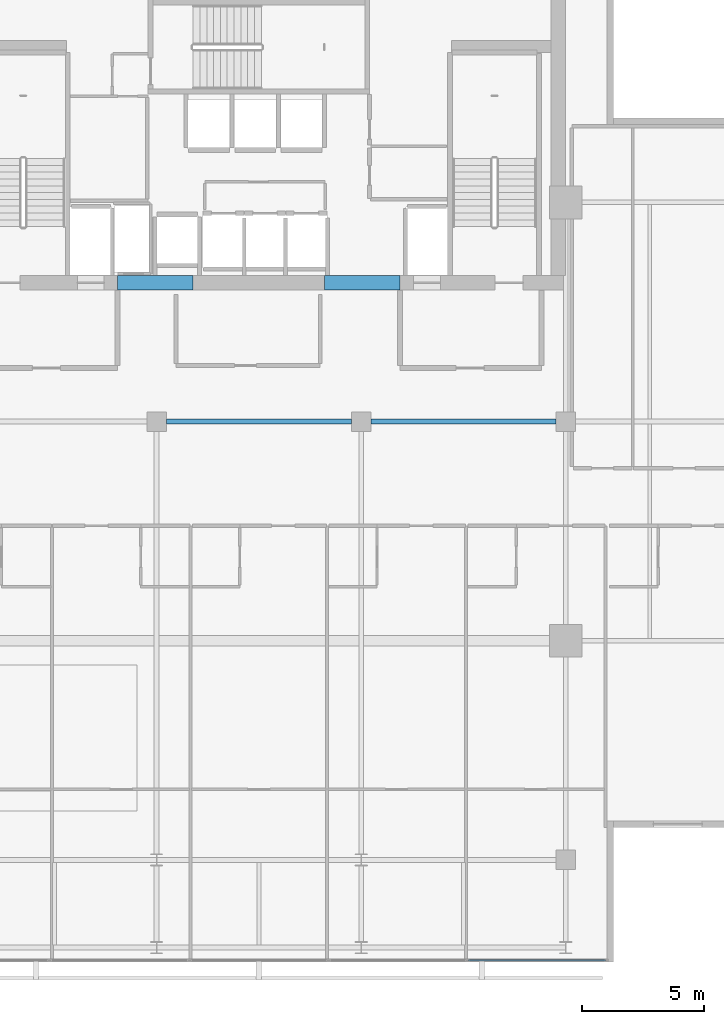
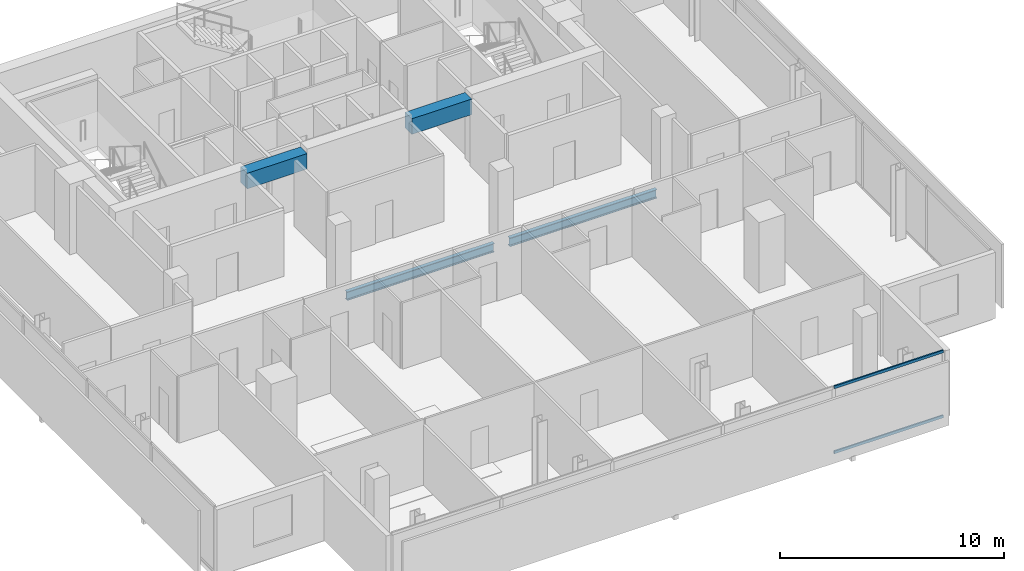
# One storey, part 10 of 24: 4 beams, 2 members, 1 element without a shape of its own.
"""IFC4 building model written with IfcOpenShell, lengths in metres."""

import ifcopenshell
import ifcopenshell.guid

model = None  # the IFC model being written
_history = None  # IfcOwnerHistory: only IFC2X3 demands one
_inside = {}  # id of a spatial element -> (the spatial element, [elements in it])
_under = {}  # id of a project, library or spatial element -> (it, [spatial elements below it])
_declared = {}  # id of a project -> (the project, [libraries it declares])
_typed = {}  # id of a type object -> (the type object, [elements of that type])
_made_of = {}  # id of a material, layer set ... -> (it, [elements and type objects made of it])


def new_model(schema):
    """Start an empty IFC model of exactly this schema.

    Asked for "IFC4X3", IfcOpenShell would pick the latest addendum, in which some entities
    have other attributes; the version numbers below select the first issue.
    IFC2X3 requires an IfcOwnerHistory on every rooted entity: one is made here for all.
    """
    global model, _history
    if schema == "IFC4X3":
        model = ifcopenshell.file(schema_version=(4, 3, 0, 0))
    else:
        model = ifcopenshell.file(schema=schema)
    _inside.clear()
    _under.clear()
    _declared.clear()
    _typed.clear()
    _made_of.clear()
    _history = None
    if model.schema == "IFC2X3":
        org = make("IfcOrganization", Name="unknown")
        user = make(
            "IfcPersonAndOrganization",
            ThePerson=make("IfcPerson", FamilyName="unknown"),
            TheOrganization=org,
        )
        app = make(
            "IfcApplication",
            ApplicationDeveloper=org,
            Version="unknown",
            ApplicationFullName="unknown",
            ApplicationIdentifier="unknown",
        )
        _history = make(
            "IfcOwnerHistory",
            OwningUser=user,
            OwningApplication=app,
            ChangeAction="ADDED",
            CreationDate=0,
        )
    return model


def make(cls, **values):
    """One entity of the class cls with the attributes given. An attribute that is None is left unset."""
    return model.create_entity(
        cls, **{name: value for name, value in values.items() if value is not None}
    )


def rooted(cls, **values):
    """An entity with a GlobalId (a new one), such as an element, a storey or a relation."""
    return make(cls, GlobalId=ifcopenshell.guid.new(), OwnerHistory=_history, **values)


def si_unit(unit_type, name, prefix=None):
    """IfcSIUnit, for example si_unit("LENGTHUNIT", "METRE", prefix="MILLI")."""
    return make("IfcSIUnit", UnitType=unit_type, Prefix=prefix, Name=name)


def assignment(units):
    """IfcUnitAssignment: the units of a project."""
    return None if units is None else make("IfcUnitAssignment", Units=units)


def point(xyz):
    """IfcCartesianPoint."""
    return None if xyz is None else make("IfcCartesianPoint", Coordinates=xyz)


def direction(xyz):
    """IfcDirection."""
    return None if xyz is None else make("IfcDirection", DirectionRatios=xyz)


def frame(location, z_axis=None, x_axis=None):
    """IfcAxis2Placement3D, a coordinate frame: its origin and axes. An axis left out is left unset."""
    return make(
        "IfcAxis2Placement3D",
        Location=point(location),
        Axis=direction(z_axis),
        RefDirection=direction(x_axis),
    )


def frame_2d(location, x_axis=None):
    """IfcAxis2Placement2D, a coordinate frame in the plane: its origin and x axis."""
    return make(
        "IfcAxis2Placement2D", Location=point(location), RefDirection=direction(x_axis)
    )


def origin():
    """The frame at (0, 0, 0) with its axes left unset."""
    return frame((0.0, 0.0, 0.0))


def origin_2d():
    """The frame at (0, 0) in the plane with its x axis left unset."""
    return frame_2d((0.0, 0.0))


def place(relative_to, where):
    """IfcLocalPlacement: puts the frame where relative to a parent placement (None: the world)."""
    return make(
        "IfcLocalPlacement", PlacementRelTo=relative_to, RelativePlacement=where
    )


def context(
    kind, dimensions, precision=None, world=None, true_north=None, identifier=None
):
    """IfcGeometricRepresentationContext, for example the 3D "Model" context."""
    return make(
        "IfcGeometricRepresentationContext",
        ContextIdentifier=identifier,
        ContextType=kind,
        CoordinateSpaceDimension=dimensions,
        Precision=precision,
        WorldCoordinateSystem=world,
        TrueNorth=true_north,
    )


def subcontext(parent, identifier, kind, view, scale=None):
    """IfcGeometricRepresentationSubContext, for example "Body" below "Model"."""
    return make(
        "IfcGeometricRepresentationSubContext",
        ContextIdentifier=identifier,
        ContextType=kind,
        ParentContext=parent,
        TargetScale=scale,
        TargetView=view,
    )


def project(units=None, contexts=None):
    """IfcProject with its units and contexts."""
    return rooted(
        "IfcProject",
        Name="project",
        RepresentationContexts=contexts,
        UnitsInContext=assignment(units),
    )


def spatial(cls, under=None, at=None, **own):
    """A site, building, storey or space (cls), placed at a placement, below another one or the project."""
    s = rooted(cls, ObjectPlacement=at, **own)
    if under is not None:
        _under.setdefault(under.id(), (under, []))[1].append(s)
    return s


def profile(cls, at=None, kind="AREA", **sizes):
    """A parametric profile (cls). Its sizes go by their IFC names, for example OverallWidth=200.0."""
    return make(cls, ProfileType=kind, Position=at, **sizes)


def rectangle(**sizes):
    """IfcRectangleProfileDef."""
    return profile("IfcRectangleProfileDef", **sizes)


def hollow_rectangle(**sizes):
    """IfcRectangleHollowProfileDef."""
    return profile("IfcRectangleHollowProfileDef", **sizes)


def i_section(**sizes):
    """IfcIShapeProfileDef."""
    return profile("IfcIShapeProfileDef", **sizes)


def extrude(swept, where, along, depth):
    """IfcExtrudedAreaSolid: the profile swept, set in the frame where, extruded along a direction by depth."""
    return make(
        "IfcExtrudedAreaSolid",
        SweptArea=swept,
        Position=where,
        ExtrudedDirection=direction(along),
        Depth=depth,
    )


def shape(context_of_items, identifier, shape_type, items):
    """IfcShapeRepresentation: the items that make up one representation, for example the "Body"."""
    return make(
        "IfcShapeRepresentation",
        ContextOfItems=context_of_items,
        RepresentationIdentifier=identifier,
        RepresentationType=shape_type,
        Items=items,
    )


def material(Name=None, Category=None):
    """IfcMaterial."""
    return make("IfcMaterial", Name=Name, Category=Category)


def layer(
    of_material, thickness, ventilated=None, Name=None, Category=None, Priority=None
):
    """IfcMaterialLayer: one layer of a wall or slab, of a material (None: an air gap)."""
    return make(
        "IfcMaterialLayer",
        Material=of_material,
        LayerThickness=thickness,
        IsVentilated=ventilated,
        Name=Name,
        Category=Category,
        Priority=Priority,
    )


def layer_set(layers, Name=None):
    """IfcMaterialLayerSet."""
    return make("IfcMaterialLayerSet", MaterialLayers=layers, LayerSetName=Name)


def material_profile(
    of_material, cross_section, Name=None, Category=None, Priority=None
):
    """IfcMaterialProfile: a cross section and its material."""
    return make(
        "IfcMaterialProfile",
        Name=Name,
        Material=of_material,
        Profile=cross_section,
        Priority=Priority,
        Category=Category,
    )


def profile_set(profiles, Name=None, composite=None):
    """IfcMaterialProfileSet."""
    return make(
        "IfcMaterialProfileSet",
        Name=Name,
        MaterialProfiles=profiles,
        CompositeProfile=composite,
    )


def made_of(thing, what):
    """Note that an element or type object is made of a material, layer set ...; save() writes the relation."""
    if what is not None:
        _made_of.setdefault(what.id(), (what, []))[1].append(thing)
    return thing


def type_object(cls, material=None, **own):
    """A type object (cls), such as IfcWallType, which elements share."""
    return made_of(rooted(cls, **own), material)


def element(
    cls,
    number,
    at=None,
    inside=None,
    cuts=None,
    type_object=None,
    material=None,
    context=None,
    identifier="Body",
    shape_type=None,
    held_by="IfcProductDefinitionShape",
    body=None,
    shapes=None,
    **own,
):
    """One element of the class cls, such as IfcWall. Its Tag is "e" and its number.

    at: its placement. inside: the storey or other place that contains it. cuts: it is an
    opening in that element (IfcRelVoidsElement). A single representation is given by context,
    identifier, shape_type and body (its items); several are given by shapes. held_by: the class
    of the entity that holds the representations. save() writes the other relations.
    """
    e = rooted(cls, Tag="e%d" % number, ObjectPlacement=at, **own)
    if body is not None:
        shapes = [shape(context, identifier, shape_type, body)]
    if shapes is not None:
        e.Representation = make(held_by, Representations=shapes)
    if inside is not None:
        _inside.setdefault(inside.id(), (inside, []))[1].append(e)
    if cuts is not None:
        rooted(
            "IfcRelVoidsElement", RelatingBuildingElement=cuts, RelatedOpeningElement=e
        )
    if type_object is not None:
        _typed.setdefault(type_object.id(), (type_object, []))[1].append(e)
    return made_of(e, material)


def aggregate(whole, parts):
    """IfcRelAggregates: a whole, such as a stair, and the parts it consists of."""
    return rooted("IfcRelAggregates", RelatingObject=whole, RelatedObjects=parts)


def save(model, path):
    """Write the relations noted so far, then the file.

    IfcRelAggregates (storeys below a building ...), IfcRelContainedInSpatialStructure (elements
    in a storey), IfcRelDefinesByType, IfcRelAssociatesMaterial and IfcRelDeclares: one each for
    every whole, place, type object, material and project.
    """
    for whole, parts in _under.values():
        aggregate(whole, parts)
    for where, things in _inside.values():
        rooted(
            "IfcRelContainedInSpatialStructure",
            RelatedElements=things,
            RelatingStructure=where,
        )
    for kind, things in _typed.values():
        rooted("IfcRelDefinesByType", RelatedObjects=things, RelatingType=kind)
    for what, things in _made_of.values():
        rooted("IfcRelAssociatesMaterial", RelatedObjects=things, RelatingMaterial=what)
    for by, libraries in _declared.values():
        rooted("IfcRelDeclares", RelatingContext=by, RelatedDefinitions=libraries)
    model.write(path)


model = new_model("IFC4")

# Units and contexts
model_context = context("Model", 3, precision=1e-05, world=origin(), true_north=direction((0.0, 1.0)))
body_context = subcontext(model_context, "Body", "Model", "MODEL_VIEW")
ifc_project = project(units=[si_unit("LENGTHUNIT", "METRE"), si_unit("AREAUNIT", "SQUARE_METRE"), si_unit("VOLUMEUNIT", "CUBIC_METRE"), si_unit("PLANEANGLEUNIT", "RADIAN"), si_unit("MASSUNIT", "GRAM", prefix="KILO")], contexts=[model_context])

# Site, building, storey
site_placement = place(None, origin())
site = spatial("IfcSite", under=ifc_project, at=site_placement, CompositionType="ELEMENT")
building_placement = place(site_placement, origin())
building = spatial("IfcBuilding", under=site, at=building_placement, Name="Maruvema Waterfront Hotel and Observation Tower", CompositionType="ELEMENT")
storey_placement = place(building_placement, frame((0.0, 0.0, 329.699951171875)))
storey = spatial("IfcBuildingStorey", under=building, at=storey_placement, Name="L81", CompositionType="ELEMENT", Elevation=329.699951171875)

# Beams
ifc_material_1 = material(Name="Concrete C60/75", Category="concrete")
ifc_material_profile_1 = material_profile(ifc_material_1, rectangle(XDim=0.60009765625, YDim=0.85009765625, at=origin_2d()), Name="CB600x850")
ifc_profile_set_1 = profile_set([ifc_material_profile_1], Name="Concrete C60/75")
beam_type_1 = type_object("IfcBeamType", Name="Core Coupling Lintel Beam CB600x850", PredefinedType="LINTEL", material=ifc_profile_set_1)
for number, where, z_axis, x_axis, name in (
    (1, (32.0, 41.699951171875, 3.18505859375), (1.0, 0.0, 0.0), (0.0, 1.0, 0.0), "L81 Core Coupling Lintel Beam West"),
    (2, (40.5, 41.699951171875, 3.18505859375), (1.0, 0.0, 0.0), (0.0, 1.0, 0.0), "L81 Core Coupling Lintel Beam East"),
):
    element("IfcBeam", number, at=place(storey_placement, frame(where, z_axis=z_axis, x_axis=x_axis)), inside=storey, type_object=beam_type_1, Name=name, PredefinedType="LINTEL", context=body_context, shape_type="SweptSolid", body=[
        extrude(rectangle(XDim=0.60009765625, YDim=0.85009765625, at=origin_2d()), origin(), (0.0, 0.0, 1.0), 3.10009765625),
    ])

# Curtain wall, members
ifc_material_2 = material(Name="Anodised bronze aluminium and solar-control low-E IGU", Category="aluminium")
ifc_layer = layer(ifc_material_2, 0.159912109375, Name="Zone 4 Sky Residence Inner Curtain Wall System CW-05")
ifc_layer_set = layer_set([ifc_layer], Name="Anodised bronze aluminium and solar-control low-E IGU")
curtain_wall_type = type_object("IfcCurtainWallType", Name="Zone 4 Sky Residence Inner Curtain Wall System CW-05", PredefinedType="USERDEFINED", material=ifc_layer_set)
curtain_wall_placement = place(storey_placement, origin())
curtain_wall = element("IfcCurtainWall", 3, at=curtain_wall_placement, inside=storey, type_object=curtain_wall_type, Name="L81 Curtain Wall CW-L81-S", ObjectType="UNITISED CURTAIN WALL", PredefinedType="USERDEFINED")
ifc_material_3 = material(Name="Anodised architectural bronze aluminium", Category="aluminium")
ifc_material_profile_2 = material_profile(ifc_material_3, hollow_rectangle(XDim=0.070068359375, YDim=0.14990234375, WallThickness=0.00390625, at=origin_2d()), Name="ALU-T70x150")
ifc_profile_set_2 = profile_set([ifc_material_profile_2], Name="Anodised architectural bronze aluminium")
member_type = type_object("IfcMemberType", Name="Curtain Wall Horizontal Transom ALU-T70x150", PredefinedType="USERDEFINED", material=ifc_profile_set_2)
member_1_placement = place(storey_placement, frame((46.409912109375, 13.8798828125, 0.030029296875), z_axis=(1.0, 0.0, 0.0), x_axis=(0.0, 1.0, 0.0)))
member_1 = element("IfcMember", 4, at=member_1_placement, type_object=member_type, Name="CW-05 transom 5.1", ObjectType="TRANSOM", PredefinedType="USERDEFINED", context=body_context, shape_type="SweptSolid", body=[
    extrude(hollow_rectangle(XDim=0.070068359375, YDim=0.14990234375, WallThickness=0.00390625, at=origin_2d()), origin(), (0.0, 0.0, 1.0), 5.630126953125),
])
member_2_placement = place(storey_placement, frame((46.409912109375, 13.8798828125, 3.580078125), z_axis=(1.0, 0.0, 0.0), x_axis=(0.0, 1.0, 0.0)))
member_2 = element("IfcMember", 5, at=member_2_placement, type_object=member_type, Name="CW-05 transom 5.2", ObjectType="TRANSOM", PredefinedType="USERDEFINED", context=body_context, shape_type="SweptSolid", body=[
    extrude(hollow_rectangle(XDim=0.070068359375, YDim=0.14990234375, WallThickness=0.00390625, at=origin_2d()), origin(), (0.0, 0.0, 1.0), 5.630126953125),
])
aggregate(curtain_wall, [member_1, member_2])

# Beams
ifc_material_4 = material(Name="Steel ASTM A572 Grade 50", Category="steel")
ifc_material_profile_3 = material_profile(ifc_material_4, i_section(OverallWidth=0.194091796875, OverallDepth=0.468994140625, WebThickness=0.0126953125, FlangeThickness=0.0205078125, FilletRadius=0.014892578125, at=origin_2d()), Name="W460x106.0")
ifc_profile_set_3 = profile_set([ifc_material_profile_3], Name="Steel ASTM A572 Grade 50")
beam_type_2 = type_object("IfcBeamType", Name="Primary Floor Girder W460x106.0", PredefinedType="BEAM", material=ifc_profile_set_3)
for number, where, z_axis, x_axis, name in (
    (6, (34.0, 36.0, -0.474365234375), (1.0, 0.0, 0.0), (0.0, 1.0, 0.0), "L81 Floor Girder EW-12"),
    (7, (42.39990234375, 36.0, -0.474365234375), (1.0, 0.0, 0.0), (0.0, 1.0, 0.0), "L81 Floor Girder EW-13"),
):
    element("IfcBeam", number, at=place(storey_placement, frame(where, z_axis=z_axis, x_axis=x_axis)), inside=storey, type_object=beam_type_2, Name=name, PredefinedType="BEAM", context=body_context, shape_type="SweptSolid", body=[
        extrude(i_section(OverallWidth=0.194091796875, OverallDepth=0.468994140625, WebThickness=0.0126953125, FlangeThickness=0.0205078125, FilletRadius=0.014892578125, at=origin_2d()), origin(), (0.0, 0.0, 1.0), 7.60009765625),
    ])

save(model, "model.ifc")
